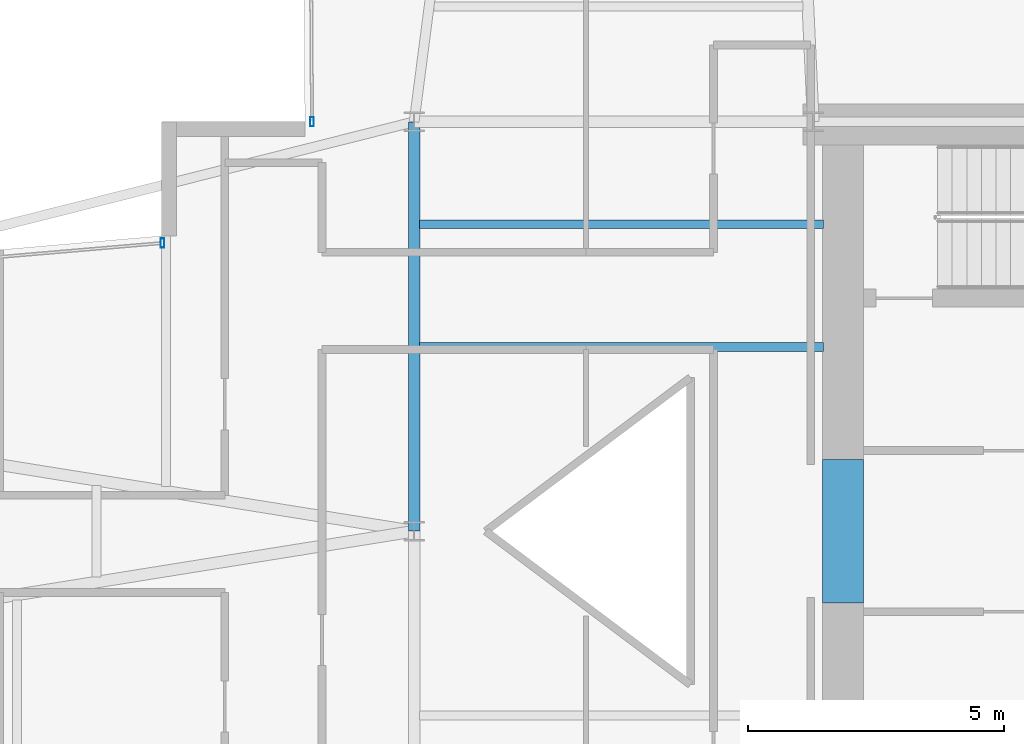
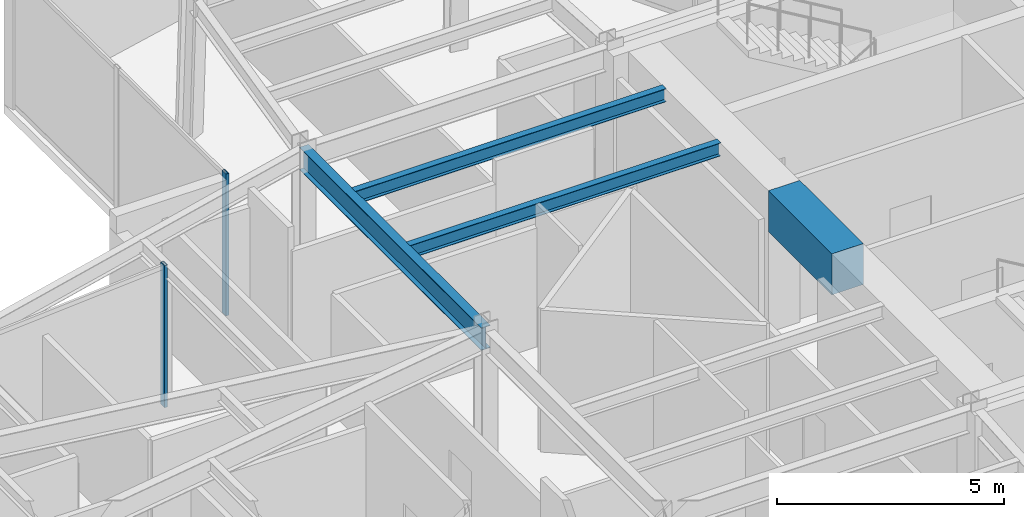
# One storey, part 11 of 26: 4 beams, 2 members, 2 elements without a shape of their own.
"""IFC4 building model written with IfcOpenShell, lengths in metres."""

from ifc_helpers import new_model, si_unit, direction, frame, origin, origin_2d, place, context, subcontext, project, spatial, rectangle, hollow_rectangle, i_section, extrude, material, layer, layer_set, material_profile, profile_set, type_object, element, aggregate, save


model = new_model("IFC4")

# Units and contexts
model_context = context("Model", 3, precision=1e-05, world=origin(), true_north=direction((0.0, 1.0)))
body_context = subcontext(model_context, "Body", "Model", "MODEL_VIEW")
ifc_project = project(units=[si_unit("LENGTHUNIT", "METRE"), si_unit("AREAUNIT", "SQUARE_METRE"), si_unit("VOLUMEUNIT", "CUBIC_METRE"), si_unit("PLANEANGLEUNIT", "RADIAN"), si_unit("MASSUNIT", "GRAM", prefix="KILO")], contexts=[model_context])

# Site, building, storey
site_placement = place(None, origin())
site = spatial("IfcSite", under=ifc_project, at=site_placement, CompositionType="ELEMENT")
building_placement = place(site_placement, origin())
building = spatial("IfcBuilding", under=site, at=building_placement, Name="Veymaron Broadcast Tower", CompositionType="ELEMENT")
storey_placement = place(building_placement, frame((0.0, 0.0, 157.35009765625)))
storey = spatial("IfcBuildingStorey", under=building, at=storey_placement, Name="L36", CompositionType="ELEMENT", Elevation=157.35009765625)

# Beams
ifc_material_1 = material(Name="Concrete C70/85", Category="concrete")
ifc_material_profile_1 = material_profile(ifc_material_1, rectangle(XDim=0.800048828125, YDim=1.10009765625, at=origin_2d()), Name="RC800X1100")
ifc_profile_set_1 = profile_set([ifc_material_profile_1], Name="Concrete C70/85")
beam_type_1 = type_object("IfcBeamType", Name="BM-CB1", PredefinedType="LINTEL", material=ifc_profile_set_1)
beam_1_placement = place(storey_placement, frame((39.580078125, 22.60009765625, 3.260009765625), z_axis=(0.0, 1.0, 0.0), x_axis=(-1.0, 0.0, 0.0)))
element("IfcBeam", 1, at=beam_1_placement, inside=storey, type_object=beam_type_1, Name="L36 Core Wall west coupling beam", PredefinedType="LINTEL", context=body_context, shape_type="SweptSolid", body=[
    extrude(rectangle(XDim=0.800048828125, YDim=1.10009765625, at=origin_2d()), origin(), (0.0, 0.0, 1.0), 2.7998046875),
])
ifc_material_2 = material(Name="Structural steel ASTM A992 Gr 50", Category="steel")
ifc_material_profile_2 = material_profile(ifc_material_2, i_section(OverallWidth=0.22802734375, OverallDepth=0.60791015625, WebThickness=0.01123046875, FlangeThickness=0.017333984375, at=origin_2d()), Name="W610X113")
ifc_profile_set_2 = profile_set([ifc_material_profile_2], Name="Structural steel ASTM A992 Gr 50")
beam_type_2 = type_object("IfcBeamType", Name="BM-FG2", PredefinedType="BEAM", material=ifc_profile_set_2)
beam_2_placement = place(storey_placement, frame((31.199951171875, 24.0, 3.505859375), z_axis=(0.0, 1.0, 0.0), x_axis=(-1.0, 0.0, 0.0)))
element("IfcBeam", 2, at=beam_2_placement, inside=storey, type_object=beam_type_2, Name="L36 primary structural floor girder", PredefinedType="BEAM", context=body_context, shape_type="SweptSolid", body=[
    extrude(i_section(OverallWidth=0.22802734375, OverallDepth=0.60791015625, WebThickness=0.01123046875, FlangeThickness=0.017333984375, at=origin_2d()), origin(), (0.0, 0.0, 1.0), 8.0),
])
ifc_material_profile_3 = material_profile(ifc_material_2, i_section(OverallWidth=0.1708984375, OverallDepth=0.35498046875, WebThickness=0.007080078125, FlangeThickness=0.01171875, at=origin_2d()), Name="W360X51")
ifc_profile_set_3 = profile_set([ifc_material_profile_3], Name="Structural steel ASTM A992 Gr 50")
beam_type_3 = type_object("IfcBeamType", Name="BM-JS2", PredefinedType="JOIST", material=ifc_profile_set_3)
for number, where, z_axis, x_axis, name in (
    (3, (31.300048828125, 27.60009765625, 3.63232421875), (1.0, 0.0, 0.0), (0.0, 1.0, 0.0), "L36 Hub secondary joist 3"),
    (4, (31.300048828125, 30.0, 3.63232421875), (1.0, 0.0, 0.0), (0.0, 1.0, 0.0), "L36 Hub secondary joist 4"),
):
    element("IfcBeam", number, at=place(storey_placement, frame(where, z_axis=z_axis, x_axis=x_axis)), inside=storey, type_object=beam_type_3, Name=name, PredefinedType="JOIST", context=body_context, shape_type="SweptSolid", body=[
        extrude(i_section(OverallWidth=0.1708984375, OverallDepth=0.35498046875, WebThickness=0.007080078125, FlangeThickness=0.01171875, at=origin_2d()), origin(), (0.0, 0.0, 1.0), 7.89990234375),
    ])

# Curtain wall, member
ifc_material_3 = material(Name="Anodised aluminium AA 6063-T6 and laminated low-E dark glass", Category="aluminium")
ifc_layer = layer(ifc_material_3, 0.179931640625)
ifc_layer_set = layer_set([ifc_layer], Name="Anodised aluminium AA 6063-T6 and laminated low-E dark glass")
curtain_wall_type = type_object("IfcCurtainWallType", Name="CW-SYS-03", PredefinedType="NOTDEFINED", material=ifc_layer_set)
curtain_wall_1_placement = place(storey_placement, origin())
curtain_wall_1 = element("IfcCurtainWall", 5, at=curtain_wall_1_placement, inside=storey, type_object=curtain_wall_type, Name="L36 dark-glass curtain wall CW-L36-E8-1", PredefinedType="NOTDEFINED")
ifc_material_4 = material(Name="Anodised aluminium AA 6063-T6", Category="aluminium")
ifc_material_profile_4 = material_profile(ifc_material_4, hollow_rectangle(XDim=0.074951171875, YDim=0.179931640625, WallThickness=0.0048828125, at=origin_2d()), Name="AL180X75X5")
ifc_profile_set_4 = profile_set([ifc_material_profile_4], Name="Anodised aluminium AA 6063-T6")
member_type = type_object("IfcMemberType", Name="CW-MUL-02", PredefinedType="MULLION", material=ifc_profile_set_4)
member_1_placement = place(storey_placement, frame((29.204833984375, 32.0009765625, 0.0), z_axis=(0.0, 0.0, 1.0), x_axis=(1.0, 0.0, 0.0)))
member_1 = element("IfcMember", 6, at=member_1_placement, type_object=member_type, Name="CW-L36-E8-1 mullion 2", PredefinedType="MULLION", context=body_context, shape_type="SweptSolid", body=[
    extrude(hollow_rectangle(XDim=0.074951171875, YDim=0.179931640625, WallThickness=0.0048828125, at=origin_2d()), origin(), (0.0, 0.0, 1.0), 3.809814453125),
])
aggregate(curtain_wall_1, [member_1])

curtain_wall_2_placement = place(storey_placement, origin())
curtain_wall_2 = element("IfcCurtainWall", 7, at=curtain_wall_2_placement, inside=storey, type_object=curtain_wall_type, Name="L36 dark-glass curtain wall CW-L36-E11-1", PredefinedType="NOTDEFINED")
member_2_placement = place(storey_placement, frame((26.282470703125, 29.631103515625, 0.0), z_axis=(0.0, 0.0, 1.0), x_axis=(1.0, 0.0, 0.0)))
member_2 = element("IfcMember", 8, at=member_2_placement, type_object=member_type, Name="CW-L36-E11-1 mullion 0", PredefinedType="MULLION", context=body_context, shape_type="SweptSolid", body=[
    extrude(hollow_rectangle(XDim=0.074951171875, YDim=0.179931640625, WallThickness=0.0048828125, at=origin_2d()), origin(), (0.0, 0.0, 1.0), 3.809814453125),
])
aggregate(curtain_wall_2, [member_2])

save(model, "model.ifc")
